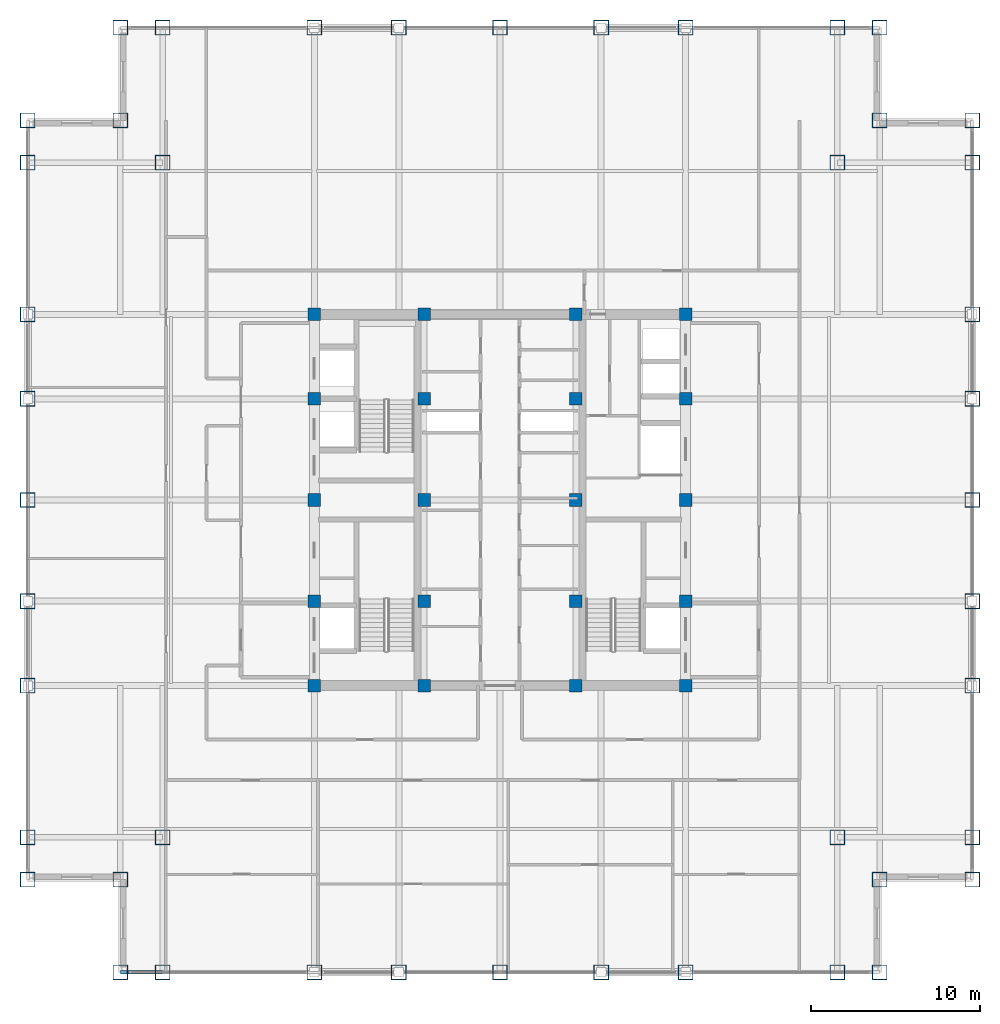
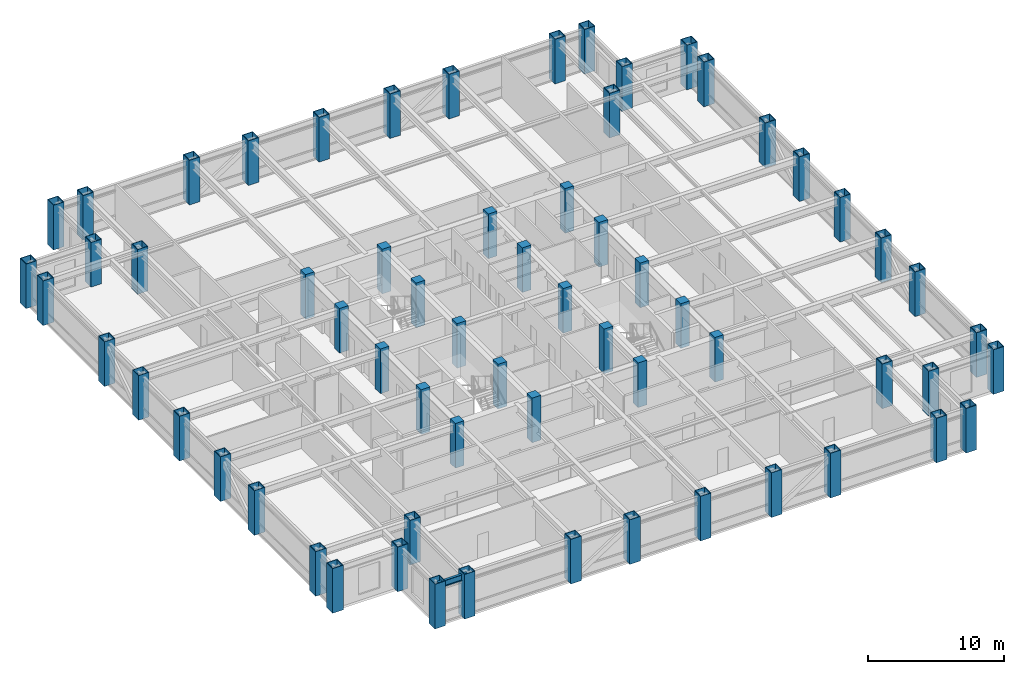
# One storey, part 1 of 22: 64 columns, 1 beam.
"""IFC4 building model written with IfcOpenShell, lengths in metres."""

from ifc_helpers import new_model, si_unit, direction, frame, origin, origin_2d, place, context, subcontext, project, spatial, rectangle, hollow_rectangle, i_section, extrude, source, transform, mapped, material, material_profile, profile_set, type_object, element, save


model = new_model("IFC4")

# Units and contexts
model_context = context("Model", 3, precision=1e-05, world=origin(), true_north=direction((0.0, 1.0)))
body_context = subcontext(model_context, "Body", "Model", "MODEL_VIEW")
ifc_project = project(units=[si_unit("LENGTHUNIT", "METRE"), si_unit("AREAUNIT", "SQUARE_METRE"), si_unit("VOLUMEUNIT", "CUBIC_METRE"), si_unit("PLANEANGLEUNIT", "RADIAN"), si_unit("MASSUNIT", "GRAM", prefix="KILO")], contexts=[model_context])

# Site, building, storey
site_placement = place(None, origin())
site = spatial("IfcSite", under=ifc_project, at=site_placement, CompositionType="ELEMENT")
building_placement = place(site_placement, origin())
building = spatial("IfcBuilding", under=site, at=building_placement, Name="Khorayat Bourse Tower", CompositionType="ELEMENT")
storey_placement = place(building_placement, frame((0.0, 0.0, 289.5)))
storey = spatial("IfcBuildingStorey", under=building, at=storey_placement, Name="L68", CompositionType="ELEMENT", Elevation=289.5)

# Columns
ifc_material_1 = material(Name="Steel EN 10025-4 S460M", Category="steel")
ifc_material_profile_1 = material_profile(ifc_material_1, hollow_rectangle(XDim=0.89990234375, YDim=0.89990234375, WallThickness=0.050048828125, at=origin_2d()), Name="BOX 900x900x50")
ifc_profile_set_1 = profile_set([ifc_material_profile_1], Name="Steel EN 10025-4 S460M")
column_type_1 = type_object("IfcColumnType", Name="COL-TUBE-900", PredefinedType="COLUMN", material=ifc_profile_set_1)
shared_shape_1 = source(origin(), body_context, "Body", "SweptSolid", [
    extrude(hollow_rectangle(XDim=0.89990234375, YDim=0.89990234375, WallThickness=0.050048828125, at=origin_2d()), origin(), (0.0, 0.0, 1.0), 4.0),
])
for number, where, z_axis, x_axis, name in (
    (1, (-28.0, -22.5, 0.0), (0.0, 0.0, 1.0), (1.0, 0.0, 0.0), "L68 Column 001"),
    (2, (-28.0, -20.0, 0.0), (0.0, 0.0, 1.0), (1.0, 0.0, 0.0), "L68 Column 002"),
    (3, (-28.0, -11.0, 0.0), (0.0, 0.0, 1.0), (1.0, 0.0, 0.0), "L68 Column 003"),
    (4, (-28.0, -6.0, 0.0), (0.0, 0.0, 1.0), (1.0, 0.0, 0.0), "L68 Column 004"),
    (5, (-28.0, 0.0, 0.0), (0.0, 0.0, 1.0), (1.0, 0.0, 0.0), "L68 Column 005"),
    (6, (-28.0, 6.0, 0.0), (0.0, 0.0, 1.0), (1.0, 0.0, 0.0), "L68 Column 006"),
    (7, (-28.0, 11.0, 0.0), (0.0, 0.0, 1.0), (1.0, 0.0, 0.0), "L68 Column 007"),
    (8, (-28.0, 20.0, 0.0), (0.0, 0.0, 1.0), (1.0, 0.0, 0.0), "L68 Column 008"),
    (9, (-28.0, 22.5, 0.0), (0.0, 0.0, 1.0), (1.0, 0.0, 0.0), "L68 Column 009"),
    (10, (-22.5, -28.0, 0.0), (0.0, 0.0, 1.0), (1.0, 0.0, 0.0), "L68 Column 010"),
    (11, (-22.5, -22.5, 0.0), (0.0, 0.0, 1.0), (1.0, 0.0, 0.0), "L68 Column 011"),
    (12, (-22.5, 22.5, 0.0), (0.0, 0.0, 1.0), (1.0, 0.0, 0.0), "L68 Column 012"),
    (13, (-22.5, 28.0, 0.0), (0.0, 0.0, 1.0), (1.0, 0.0, 0.0), "L68 Column 013"),
    (14, (-20.0, -28.0, 0.0), (0.0, 0.0, 1.0), (1.0, 0.0, 0.0), "L68 Column 014"),
    (15, (-20.0, -20.0, 0.0), (0.0, 0.0, 1.0), (1.0, 0.0, 0.0), "L68 Column 015"),
    (16, (-20.0, 20.0, 0.0), (0.0, 0.0, 1.0), (1.0, 0.0, 0.0), "L68 Column 016"),
    (17, (-20.0, 28.0, 0.0), (0.0, 0.0, 1.0), (1.0, 0.0, 0.0), "L68 Column 017"),
    (18, (-11.0, -28.0, 0.0), (0.0, 0.0, 1.0), (1.0, 0.0, 0.0), "L68 Column 018"),
    (19, (-11.0, 28.0, 0.0), (0.0, 0.0, 1.0), (1.0, 0.0, 0.0), "L68 Column 024"),
    (20, (-6.0, -28.0, 0.0), (0.0, 0.0, 1.0), (1.0, 0.0, 0.0), "L68 Column 025"),
    (21, (-6.0, 28.0, 0.0), (0.0, 0.0, 1.0), (1.0, 0.0, 0.0), "L68 Column 026"),
    (22, (0.0, -28.0, 0.0), (0.0, 0.0, 1.0), (1.0, 0.0, 0.0), "L68 Column 032"),
    (23, (0.0, 28.0, 0.0), (0.0, 0.0, 1.0), (1.0, 0.0, 0.0), "L68 Column 033"),
    (24, (6.0, -28.0, 0.0), (0.0, 0.0, 1.0), (1.0, 0.0, 0.0), "L68 Column 039"),
    (25, (6.0, 28.0, 0.0), (0.0, 0.0, 1.0), (1.0, 0.0, 0.0), "L68 Column 040"),
    (26, (11.0, -28.0, 0.0), (0.0, 0.0, 1.0), (1.0, 0.0, 0.0), "L68 Column 041"),
    (27, (11.0, 28.0, 0.0), (0.0, 0.0, 1.0), (1.0, 0.0, 0.0), "L68 Column 047"),
    (28, (20.0, -28.0, 0.0), (0.0, 0.0, 1.0), (1.0, 0.0, 0.0), "L68 Column 048"),
    (29, (20.0, -20.0, 0.0), (0.0, 0.0, 1.0), (1.0, 0.0, 0.0), "L68 Column 049"),
    (30, (20.0, 20.0, 0.0), (0.0, 0.0, 1.0), (1.0, 0.0, 0.0), "L68 Column 050"),
    (31, (20.0, 28.0, 0.0), (0.0, 0.0, 1.0), (1.0, 0.0, 0.0), "L68 Column 051"),
    (32, (22.5, -28.0, 0.0), (0.0, 0.0, 1.0), (1.0, 0.0, 0.0), "L68 Column 052"),
    (33, (22.5, -22.5, 0.0), (0.0, 0.0, 1.0), (1.0, 0.0, 0.0), "L68 Column 053"),
    (34, (22.5, 22.5, 0.0), (0.0, 0.0, 1.0), (1.0, 0.0, 0.0), "L68 Column 054"),
    (35, (22.5, 28.0, 0.0), (0.0, 0.0, 1.0), (1.0, 0.0, 0.0), "L68 Column 055"),
    (36, (28.0, -22.5, 0.0), (0.0, 0.0, 1.0), (1.0, 0.0, 0.0), "L68 Column 056"),
    (37, (28.0, -20.0, 0.0), (0.0, 0.0, 1.0), (1.0, 0.0, 0.0), "L68 Column 057"),
    (38, (28.0, -11.0, 0.0), (0.0, 0.0, 1.0), (1.0, 0.0, 0.0), "L68 Column 058"),
    (39, (28.0, -6.0, 0.0), (0.0, 0.0, 1.0), (1.0, 0.0, 0.0), "L68 Column 059"),
    (40, (28.0, 0.0, 0.0), (0.0, 0.0, 1.0), (1.0, 0.0, 0.0), "L68 Column 060"),
    (41, (28.0, 6.0, 0.0), (0.0, 0.0, 1.0), (1.0, 0.0, 0.0), "L68 Column 061"),
    (42, (28.0, 11.0, 0.0), (0.0, 0.0, 1.0), (1.0, 0.0, 0.0), "L68 Column 062"),
    (43, (28.0, 20.0, 0.0), (0.0, 0.0, 1.0), (1.0, 0.0, 0.0), "L68 Column 063"),
    (44, (28.0, 22.5, 0.0), (0.0, 0.0, 1.0), (1.0, 0.0, 0.0), "L68 Column 064"),
):
    element("IfcColumn", number, at=place(storey_placement, frame(where, z_axis=z_axis, x_axis=x_axis)), inside=storey, type_object=column_type_1, Name=name, PredefinedType="COLUMN", context=body_context, shape_type="MappedRepresentation", body=[
        mapped(shared_shape_1, transform((0.0, 0.0, 0.0), scale=1.0)),
    ])
ifc_material_2 = material(Name="Concrete C52/65", Category="concrete")
ifc_material_profile_2 = material_profile(ifc_material_2, rectangle(XDim=0.75, YDim=0.75, at=origin_2d()), Name="RC 750x750")
ifc_profile_set_2 = profile_set([ifc_material_profile_2], Name="Concrete C52/65")
column_type_2 = type_object("IfcColumnType", Name="COL-CORE-750", PredefinedType="COLUMN", material=ifc_profile_set_2)
shared_shape_2 = source(origin(), body_context, "Body", "SweptSolid", [
    extrude(rectangle(XDim=0.75, YDim=0.75, at=origin_2d()), origin(), (0.0, 0.0, 1.0), 4.0),
])
for number, where, z_axis, x_axis, name in (
    (45, (-11.0, -11.0, 0.0), (0.0, 0.0, 1.0), (1.0, 0.0, 0.0), "L68 Column 019"),
    (46, (-11.0, -6.0, 0.0), (0.0, 0.0, 1.0), (1.0, 0.0, 0.0), "L68 Column 020"),
    (47, (-11.0, 0.0, 0.0), (0.0, 0.0, 1.0), (1.0, 0.0, 0.0), "L68 Column 021"),
    (48, (-11.0, 6.0, 0.0), (0.0, 0.0, 1.0), (1.0, 0.0, 0.0), "L68 Column 022"),
    (49, (-11.0, 11.0, 0.0), (0.0, 0.0, 1.0), (1.0, 0.0, 0.0), "L68 Column 023"),
    (50, (-4.5, -11.0, 0.0), (0.0, 0.0, 1.0), (1.0, 0.0, 0.0), "L68 Column 027"),
    (51, (-4.5, -6.0, 0.0), (0.0, 0.0, 1.0), (1.0, 0.0, 0.0), "L68 Column 028"),
    (52, (-4.5, 0.0, 0.0), (0.0, 0.0, 1.0), (1.0, 0.0, 0.0), "L68 Column 029"),
    (53, (-4.5, 6.0, 0.0), (0.0, 0.0, 1.0), (1.0, 0.0, 0.0), "L68 Column 030"),
    (54, (-4.5, 11.0, 0.0), (0.0, 0.0, 1.0), (1.0, 0.0, 0.0), "L68 Column 031"),
    (55, (4.5, -11.0, 0.0), (0.0, 0.0, 1.0), (1.0, 0.0, 0.0), "L68 Column 034"),
    (56, (4.5, -6.0, 0.0), (0.0, 0.0, 1.0), (1.0, 0.0, 0.0), "L68 Column 035"),
    (57, (4.5, 0.0, 0.0), (0.0, 0.0, 1.0), (1.0, 0.0, 0.0), "L68 Column 036"),
    (58, (4.5, 6.0, 0.0), (0.0, 0.0, 1.0), (1.0, 0.0, 0.0), "L68 Column 037"),
    (59, (4.5, 11.0, 0.0), (0.0, 0.0, 1.0), (1.0, 0.0, 0.0), "L68 Column 038"),
    (60, (11.0, -11.0, 0.0), (0.0, 0.0, 1.0), (1.0, 0.0, 0.0), "L68 Column 042"),
    (61, (11.0, -6.0, 0.0), (0.0, 0.0, 1.0), (1.0, 0.0, 0.0), "L68 Column 043"),
    (62, (11.0, 0.0, 0.0), (0.0, 0.0, 1.0), (1.0, 0.0, 0.0), "L68 Column 044"),
    (63, (11.0, 6.0, 0.0), (0.0, 0.0, 1.0), (1.0, 0.0, 0.0), "L68 Column 045"),
    (64, (11.0, 11.0, 0.0), (0.0, 0.0, 1.0), (1.0, 0.0, 0.0), "L68 Column 046"),
):
    element("IfcColumn", number, at=place(storey_placement, frame(where, z_axis=z_axis, x_axis=x_axis)), inside=storey, type_object=column_type_2, Name=name, PredefinedType="COLUMN", context=body_context, shape_type="MappedRepresentation", body=[
        mapped(shared_shape_2, transform((0.0, 0.0, 0.0), scale=1.0)),
    ])

# Beam
ifc_material_3 = material(Name="Steel ASTM A992 Grade 50", Category="steel")
ifc_material_profile_3 = material_profile(ifc_material_3, i_section(OverallWidth=0.214111328125, OverallDepth=0.549072265625, WebThickness=0.0146484375, FlangeThickness=0.023681640625, FilletRadius=0.013916015625, at=origin_2d()), Name="W530X138")
ifc_profile_set_3 = profile_set([ifc_material_profile_3], Name="Steel ASTM A992 Grade 50")
beam_type = type_object("IfcBeamType", Name="BM-SPAN-530", PredefinedType="SPANDREL", material=ifc_profile_set_3)
shared_shape_3 = source(origin(), body_context, "Body", "SweptSolid", [
    extrude(i_section(OverallWidth=0.214111328125, OverallDepth=0.549072265625, WebThickness=0.0146484375, FlangeThickness=0.023681640625, FilletRadius=0.013916015625, at=origin_2d()), origin(), (0.0, 0.0, 1.0), 2.5),
])
beam_placement = place(storey_placement, frame((-22.5, -28.0, 3.505615234375), z_axis=(1.0, 0.0, 0.0), x_axis=(0.0, 1.0, 0.0)))
element("IfcBeam", 65, at=beam_placement, inside=storey, type_object=beam_type, Name="L68 BM-SPAN-530 BM-L68-SPN-024", PredefinedType="SPANDREL", context=body_context, shape_type="MappedRepresentation", body=[
    mapped(shared_shape_3, transform((0.0, 0.0, 0.0), scale=1.0)),
])

save(model, "model.ifc")
